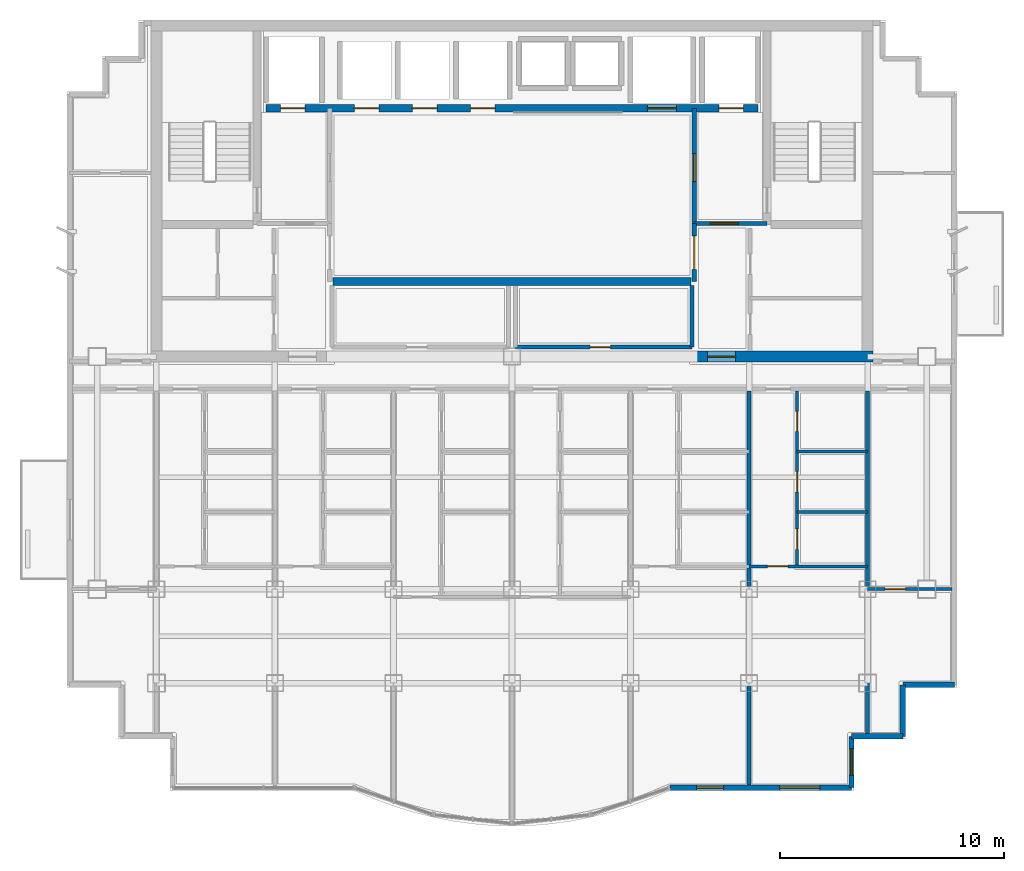
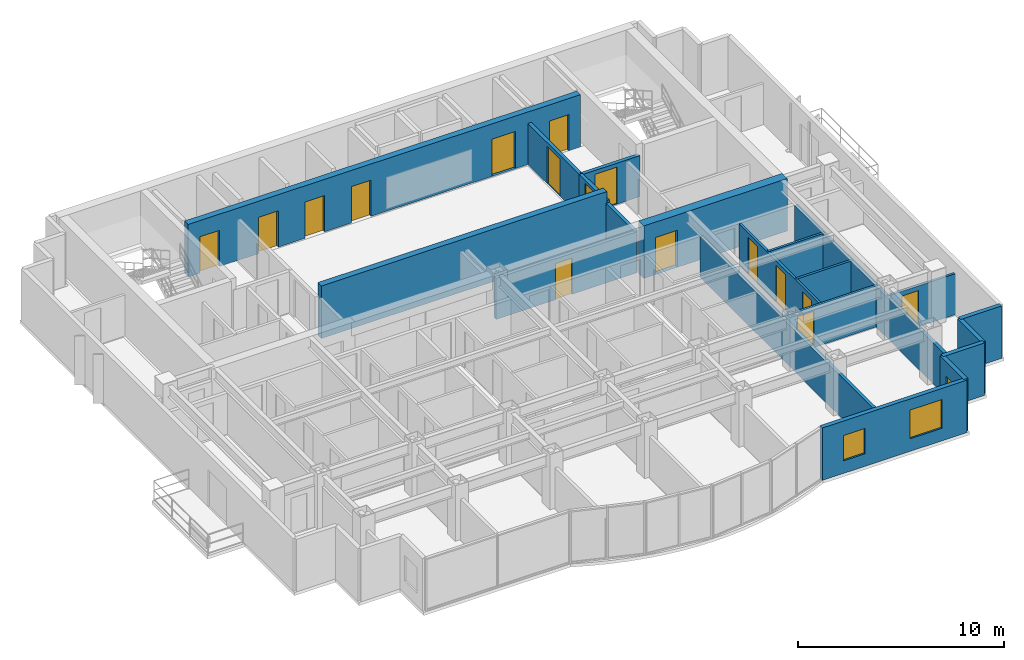
# One storey, part 6 of 9: 20 walls, 16 doors, 3 windows, 19 openings.
"""IFC4 building model written with IfcOpenShell, lengths in metres."""

from ifc_helpers import new_model, si_unit, direction, frame, frame_2d, origin, place, context, subcontext, project, spatial, rectangle, extrude, material, layer, layer_set, type_object, element, fill, save


model = new_model("IFC4")

# Units and contexts
model_context = context("Model", 3, precision=1e-05, world=origin(), true_north=direction((0.0, 1.0)))
body_context = subcontext(model_context, "Body", "Model", "MODEL_VIEW")
ifc_project = project(units=[si_unit("LENGTHUNIT", "METRE"), si_unit("AREAUNIT", "SQUARE_METRE"), si_unit("VOLUMEUNIT", "CUBIC_METRE"), si_unit("PLANEANGLEUNIT", "RADIAN"), si_unit("MASSUNIT", "GRAM", prefix="KILO")], contexts=[model_context])

# Site, building, storey
site_placement = place(None, origin())
site = spatial("IfcSite", under=ifc_project, at=site_placement, CompositionType="ELEMENT")
building_placement = place(site_placement, origin())
building = spatial("IfcBuilding", under=site, at=building_placement, Name="Qianlan Lanfeng Residences", CompositionType="ELEMENT")
storey_placement = place(building_placement, frame((0.0, 0.0, 229.699951171875)))
storey = spatial("IfcBuildingStorey", under=building, at=storey_placement, Name="L63", CompositionType="ELEMENT", Elevation=229.699951171875)

# Wall, openings, doors
ifc_material_1 = material(Name="Concrete C49", Category="concrete")
ifc_layer_1 = layer(ifc_material_1, 0.35009765625)
ifc_layer_set_1 = layer_set([ifc_layer_1], Name="Concrete C49")
wall_type_1 = type_object("IfcWallType", Name="CW-RC-350", PredefinedType="SHEAR", material=ifc_layer_set_1)
wall_1_placement = place(storey_placement, frame((15.5, 36.300048828125, 0.0), z_axis=(0.0, 0.0, 1.0), x_axis=(1.0, 0.0, 0.0)))
wall_1 = element("IfcWall", 1, at=wall_1_placement, inside=storey, type_object=wall_type_1, Name="L63 Core Shear Wall LBN", PredefinedType="SHEAR", context=body_context, shape_type="SweptSolid", body=[
    extrude(rectangle(XDim=22.0, YDim=0.35009765625, at=frame_2d((11.0, 0.0))), origin(), (0.0, 0.0, 1.0), 3.110107421875),
])
opening_1_placement = place(wall_1_placement, frame((0.64990234375, 0.0, 0.0)))
opening_1 = element("IfcOpeningElement", 2, at=opening_1_placement, cuts=wall_1, Name="Opening L63-LD-FFL-1", PredefinedType="OPENING", context=body_context, shape_type="SweptSolid", body=[
    extrude(rectangle(XDim=1.10009765625, YDim=2.14990234375, at=frame_2d((0.550048828125, 1.074951171875))), frame((0.0, 0.18505859375, 0.0), z_axis=(0.0, -1.0, 0.0), x_axis=(1.0, 0.0, 0.0)), (0.0, 0.0, 1.0), 0.3701171875),
])
opening_2_placement = place(wall_1_placement, frame((20.25, 0.0, 0.0)))
opening_2 = element("IfcOpeningElement", 3, at=opening_2_placement, cuts=wall_1, Name="Opening L63-LD-FFL-2", PredefinedType="OPENING", context=body_context, shape_type="SweptSolid", body=[
    extrude(rectangle(XDim=1.10009765625, YDim=2.14990234375, at=frame_2d((0.550048828125, 1.074951171875))), frame((0.0, 0.18505859375, 0.0), z_axis=(0.0, -1.0, 0.0), x_axis=(1.0, 0.0, 0.0)), (0.0, 0.0, 1.0), 0.3701171875),
])
opening_3_placement = place(wall_1_placement, frame((17.050048828125, 0.0, 0.0)))
opening_3 = element("IfcOpeningElement", 4, at=opening_3_placement, cuts=wall_1, Name="Opening L63-LD-SVL-1", PredefinedType="OPENING", context=body_context, shape_type="SweptSolid", body=[
    extrude(rectangle(XDim=1.300048828125, YDim=2.199951171875, at=frame_2d((0.64990234375, 1.10009765625))), frame((0.0, 0.18505859375, 0.0), z_axis=(0.0, -1.0, 0.0), x_axis=(1.0, 0.0, 0.0)), (0.0, 0.0, 1.0), 0.3701171875),
])
opening_4_placement = place(wall_1_placement, frame((3.949951171875, 0.0, 0.0)))
opening_4 = element("IfcOpeningElement", 5, at=opening_4_placement, cuts=wall_1, Name="Opening L63-LD-PL-H1", PredefinedType="OPENING", context=body_context, shape_type="SweptSolid", body=[
    extrude(rectangle(XDim=1.10009765625, YDim=2.14990234375, at=frame_2d((0.550048828125, 1.074951171875))), frame((0.0, 0.18505859375, 0.0), z_axis=(0.0, -1.0, 0.0), x_axis=(1.0, 0.0, 0.0)), (0.0, 0.0, 1.0), 0.3701171875),
])
opening_5_placement = place(wall_1_placement, frame((6.550048828125, 0.0, 0.0)))
opening_5 = element("IfcOpeningElement", 6, at=opening_5_placement, cuts=wall_1, Name="Opening L63-LD-PL-H2", PredefinedType="OPENING", context=body_context, shape_type="SweptSolid", body=[
    extrude(rectangle(XDim=1.10009765625, YDim=2.14990234375, at=frame_2d((0.550048828125, 1.074951171875))), frame((0.0, 0.18505859375, 0.0), z_axis=(0.0, -1.0, 0.0), x_axis=(1.0, 0.0, 0.0)), (0.0, 0.0, 1.0), 0.3701171875),
])
opening_6_placement = place(wall_1_placement, frame((9.14990234375, 0.0, 0.0)))
opening_6 = element("IfcOpeningElement", 7, at=opening_6_placement, cuts=wall_1, Name="Opening L63-LD-PL-H3", PredefinedType="OPENING", context=body_context, shape_type="SweptSolid", body=[
    extrude(rectangle(XDim=1.10009765625, YDim=2.14990234375, at=frame_2d((0.550048828125, 1.074951171875))), frame((0.0, 0.18505859375, 0.0), z_axis=(0.0, -1.0, 0.0), x_axis=(1.0, 0.0, 0.0)), (0.0, 0.0, 1.0), 0.3701171875),
])
ifc_material_2 = material(Name="Brushed Stainless Steel Sliding Lift Door", Category="steel")
door_type_1 = type_object("IfcDoorType", Name="LD-01", OperationType="NOTDEFINED", PredefinedType="DOOR", material=ifc_material_2)
door_1_placement = place(opening_1_placement, frame((1.10009765625, 0.0, 0.0), z_axis=(0.0, 0.0, 1.0), x_axis=(-1.0, 0.0, 0.0)))
door_1 = element("IfcDoor", 8, at=door_1_placement, inside=storey, type_object=door_type_1, Name="L63 Elevator FFL-1 Sliding Landing Door", OperationType="DOUBLE_DOOR_SLIDING", OverallHeight=2.14990234375, OverallWidth=1.10009765625, PredefinedType="DOOR", context=body_context, shape_type="SweptSolid", body=[
    extrude(rectangle(XDim=1.10009765625, YDim=2.14990234375, at=frame_2d((0.550048828125, 1.074951171875))), frame((0.0, 0.02490234375, 0.0), z_axis=(0.0, -1.0, 0.0), x_axis=(1.0, 0.0, 0.0)), (0.0, 0.0, 1.0), 0.050048828125),
])
fill(opening_1, door_1)
door_2_placement = place(opening_2_placement, frame((1.10009765625, 0.0, 0.0), z_axis=(0.0, 0.0, 1.0), x_axis=(-1.0, 0.0, 0.0)))
door_2 = element("IfcDoor", 9, at=door_2_placement, inside=storey, type_object=door_type_1, Name="L63 Elevator FFL-2 Sliding Landing Door", OperationType="DOUBLE_DOOR_SLIDING", OverallHeight=2.14990234375, OverallWidth=1.10009765625, PredefinedType="DOOR", context=body_context, shape_type="SweptSolid", body=[
    extrude(rectangle(XDim=1.10009765625, YDim=2.14990234375, at=frame_2d((0.550048828125, 1.074951171875))), frame((0.0, 0.02490234375, 0.0), z_axis=(0.0, -1.0, 0.0), x_axis=(1.0, 0.0, 0.0)), (0.0, 0.0, 1.0), 0.050048828125),
])
fill(opening_2, door_2)
door_3_placement = place(opening_4_placement, frame((1.10009765625, 0.0, 0.0), z_axis=(0.0, 0.0, 1.0), x_axis=(-1.0, 0.0, 0.0)))
door_3 = element("IfcDoor", 10, at=door_3_placement, inside=storey, type_object=door_type_1, Name="L63 Elevator PL-H1 Sliding Landing Door", OperationType="DOUBLE_DOOR_SLIDING", OverallHeight=2.14990234375, OverallWidth=1.10009765625, PredefinedType="DOOR", context=body_context, shape_type="SweptSolid", body=[
    extrude(rectangle(XDim=1.10009765625, YDim=2.14990234375, at=frame_2d((0.550048828125, 1.074951171875))), frame((0.0, 0.02490234375, 0.0), z_axis=(0.0, -1.0, 0.0), x_axis=(1.0, 0.0, 0.0)), (0.0, 0.0, 1.0), 0.050048828125),
])
fill(opening_4, door_3)
door_4_placement = place(opening_5_placement, frame((1.10009765625, 0.0, 0.0), z_axis=(0.0, 0.0, 1.0), x_axis=(-1.0, 0.0, 0.0)))
door_4 = element("IfcDoor", 11, at=door_4_placement, inside=storey, type_object=door_type_1, Name="L63 Elevator PL-H2 Sliding Landing Door", OperationType="DOUBLE_DOOR_SLIDING", OverallHeight=2.14990234375, OverallWidth=1.10009765625, PredefinedType="DOOR", context=body_context, shape_type="SweptSolid", body=[
    extrude(rectangle(XDim=1.10009765625, YDim=2.14990234375, at=frame_2d((0.550048828125, 1.074951171875))), frame((0.0, 0.02490234375, 0.0), z_axis=(0.0, -1.0, 0.0), x_axis=(1.0, 0.0, 0.0)), (0.0, 0.0, 1.0), 0.050048828125),
])
fill(opening_5, door_4)
door_5_placement = place(opening_6_placement, frame((1.10009765625, 0.0, 0.0), z_axis=(0.0, 0.0, 1.0), x_axis=(-1.0, 0.0, 0.0)))
door_5 = element("IfcDoor", 12, at=door_5_placement, inside=storey, type_object=door_type_1, Name="L63 Elevator PL-H3 Sliding Landing Door", OperationType="DOUBLE_DOOR_SLIDING", OverallHeight=2.14990234375, OverallWidth=1.10009765625, PredefinedType="DOOR", context=body_context, shape_type="SweptSolid", body=[
    extrude(rectangle(XDim=1.10009765625, YDim=2.14990234375, at=frame_2d((0.550048828125, 1.074951171875))), frame((0.0, 0.02490234375, 0.0), z_axis=(0.0, -1.0, 0.0), x_axis=(1.0, 0.0, 0.0)), (0.0, 0.0, 1.0), 0.050048828125),
])
fill(opening_6, door_5)
door_type_2 = type_object("IfcDoorType", Name="LD-02", OperationType="NOTDEFINED", PredefinedType="DOOR", material=ifc_material_2)
door_6_placement = place(opening_3_placement, frame((1.300048828125, 0.0, 0.0), z_axis=(0.0, 0.0, 1.0), x_axis=(-1.0, 0.0, 0.0)))
door_6 = element("IfcDoor", 13, at=door_6_placement, inside=storey, type_object=door_type_2, Name="L63 Elevator SVL-1 Sliding Landing Door", OperationType="DOUBLE_DOOR_SLIDING", OverallHeight=2.199951171875, OverallWidth=1.300048828125, PredefinedType="DOOR", context=body_context, shape_type="SweptSolid", body=[
    extrude(rectangle(XDim=1.300048828125, YDim=2.199951171875, at=frame_2d((0.64990234375, 1.10009765625))), frame((0.0, 0.02490234375, 0.0), z_axis=(0.0, -1.0, 0.0), x_axis=(1.0, 0.0, 0.0)), (0.0, 0.0, 1.0), 0.050048828125),
])
fill(opening_3, door_6)

# Wall
wall_2_placement = place(storey_placement, frame((18.5, 28.550048828125, 0.0), z_axis=(0.0, 0.0, 1.0), x_axis=(1.0, 0.0, 0.0)))
element("IfcWall", 14, at=wall_2_placement, inside=storey, type_object=wall_type_1, Name="L63 Core Shear Wall LBS", PredefinedType="SHEAR", context=body_context, shape_type="SweptSolid", body=[
    extrude(rectangle(XDim=16.0, YDim=0.35009765625, at=frame_2d((8.0, 0.0))), origin(), (0.0, 0.0, 1.0), 3.110107421875),
])

# Wall, opening, door
ifc_material_3 = material(Name="Concrete C70", Category="concrete")
ifc_layer_2 = layer(ifc_material_3, 0.5)
ifc_layer_set_2 = layer_set([ifc_layer_2], Name="Concrete C70")
wall_type_2 = type_object("IfcWallType", Name="CW-RC-500", PredefinedType="SHEAR", material=ifc_layer_set_2)
wall_3_placement = place(storey_placement, frame((34.60009765625, 25.199951171875, 0.0), z_axis=(0.0, 0.0, 1.0), x_axis=(1.0, 0.0, 0.0)))
wall_3 = element("IfcWall", 15, at=wall_3_placement, inside=storey, type_object=wall_type_2, Name="L63 Core Shear Wall SE", PredefinedType="SHEAR", context=body_context, shape_type="SweptSolid", body=[
    extrude(rectangle(XDim=8.0498046875, YDim=0.5, at=frame_2d((4.02490234375, 0.0))), origin(), (0.0, 0.0, 1.0), 3.110107421875),
])
opening_7_placement = place(wall_3_placement, frame((0.64990234375, 0.0, 0.0)))
opening_7 = element("IfcOpeningElement", 16, at=opening_7_placement, cuts=wall_3, Name="Opening L63-D02", PredefinedType="OPENING", context=body_context, shape_type="SweptSolid", body=[
    extrude(rectangle(XDim=1.25, YDim=2.199951171875, at=frame_2d((0.625, 1.10009765625))), frame((0.0, 0.260009765625, 0.0), z_axis=(0.0, -1.0, 0.0), x_axis=(1.0, 0.0, 0.0)), (0.0, 0.0, 1.0), 0.52001953125),
])
ifc_material_4 = material(Name="Painted Galvanised Steel Fire Door", Category="steel")
door_type_3 = type_object("IfcDoorType", Name="DT-FFL", OperationType="NOTDEFINED", PredefinedType="DOOR", material=ifc_material_4)
door_7_placement = place(opening_7_placement, origin())
door_7 = element("IfcDoor", 17, at=door_7_placement, inside=storey, type_object=door_type_3, Name="L63 East Core Lobby Smoke Door L63-D02 (DT-FFL)", OperationType="SINGLE_SWING_LEFT", OverallHeight=2.199951171875, OverallWidth=1.25, PredefinedType="DOOR", context=body_context, shape_type="SweptSolid", body=[
    extrude(rectangle(XDim=1.25, YDim=2.199951171875, at=frame_2d((0.625, 1.10009765625))), frame((0.0, 0.02490234375, 0.0), z_axis=(0.0, -1.0, 0.0), x_axis=(1.0, 0.0, 0.0)), (0.0, 0.0, 1.0), 0.050048828125),
])
fill(opening_7, door_7)

# Wall, openings, windows
ifc_material_5 = material(Name="Concrete C42", Category="concrete")
ifc_layer_3 = layer(ifc_material_5, 0.239990234375)
ifc_layer_set_3 = layer_set([ifc_layer_3], Name="Concrete C42")
wall_type_3 = type_object("IfcWallType", Name="EW-240", PredefinedType="SOLIDWALL", material=ifc_layer_set_3)
wall_4_placement = place(storey_placement, frame((33.555908203125, 5.919921875, 0.0), z_axis=(0.0, 0.0, 1.0), x_axis=(1.0, 0.0, 0.0)))
wall_4 = element("IfcWall", 18, at=wall_4_placement, inside=storey, type_object=wall_type_3, Name="L63 Exterior Facade Spandrel Wall 5", PredefinedType="SOLIDWALL", context=body_context, shape_type="SweptSolid", body=[
    extrude(rectangle(XDim=8.1240234375, YDim=0.239990234375, at=frame_2d((4.06201171875, 0.0))), origin(), (0.0, 0.0, 1.0), 3.110107421875),
])
opening_8_placement = place(wall_4_placement, frame((4.908935546875, 0.0, 0.75)))
opening_8 = element("IfcOpeningElement", 19, at=opening_8_placement, cuts=wall_4, Name="Opening W-01", PredefinedType="OPENING", context=body_context, shape_type="SweptSolid", body=[
    extrude(rectangle(XDim=1.800048828125, YDim=1.699951171875, at=frame_2d((0.89990234375, 0.85009765625))), frame((0.0, 0.1298828125, 0.0), z_axis=(0.0, -1.0, 0.0), x_axis=(1.0, 0.0, 0.0)), (0.0, 0.0, 1.0), 0.260009765625),
])
opening_9_placement = place(wall_4_placement, frame((1.197021484375, 0.0, 0.75)))
opening_9 = element("IfcOpeningElement", 20, at=opening_9_placement, cuts=wall_4, Name="Opening W-03", PredefinedType="OPENING", context=body_context, shape_type="SweptSolid", body=[
    extrude(rectangle(XDim=1.199951171875, YDim=1.5, at=frame_2d((0.60009765625, 0.75))), frame((0.0, 0.1298828125, 0.0), z_axis=(0.0, -1.0, 0.0), x_axis=(1.0, 0.0, 0.0)), (0.0, 0.0, 1.0), 0.260009765625),
])
ifc_material_6 = material(Name="Anodised Bronze Aluminium Framed Double Glazing", Category="aluminium")
window_type_1 = type_object("IfcWindowType", Name="W-01", PartitioningType="SINGLE_PANEL", PredefinedType="WINDOW", material=ifc_material_6)
window_1_placement = place(opening_8_placement, origin())
window_1 = element("IfcWindow", 21, at=window_1_placement, inside=storey, type_object=window_type_1, Name="L63 Facade Punched Window W-01", OverallHeight=1.699951171875, OverallWidth=1.800048828125, PartitioningType="SINGLE_PANEL", PredefinedType="WINDOW", context=body_context, shape_type="SweptSolid", body=[
    extrude(rectangle(XDim=1.800048828125, YDim=1.699951171875, at=frame_2d((0.89990234375, 0.85009765625))), frame((0.0, 0.030029296875, 0.0), z_axis=(0.0, -1.0, 0.0), x_axis=(1.0, 0.0, 0.0)), (0.0, 0.0, 1.0), 0.06005859375),
])
fill(opening_8, window_1)
window_type_2 = type_object("IfcWindowType", Name="W-03", PartitioningType="SINGLE_PANEL", PredefinedType="WINDOW", material=ifc_material_6)
window_2_placement = place(opening_9_placement, origin())
window_2 = element("IfcWindow", 22, at=window_2_placement, inside=storey, type_object=window_type_2, Name="L63 Facade Bay Window W-03", OverallHeight=1.5, OverallWidth=1.199951171875, PartitioningType="SINGLE_PANEL", PredefinedType="WINDOW", context=body_context, shape_type="SweptSolid", body=[
    extrude(rectangle(XDim=1.199951171875, YDim=1.5, at=frame_2d((0.60009765625, 0.75))), frame((0.0, 0.030029296875, 0.0), z_axis=(0.0, -1.0, 0.0), x_axis=(1.0, 0.0, 0.0)), (0.0, 0.0, 1.0), 0.06005859375),
])
fill(opening_9, window_2)

# Wall, opening, window
wall_5_placement = place(storey_placement, frame((41.679931640625, 5.919921875, 0.0), z_axis=(0.0, 0.0, 1.0), x_axis=(0.0, 1.0, 0.0)))
wall_5 = element("IfcWall", 23, at=wall_5_placement, inside=storey, type_object=wall_type_3, Name="L63 Exterior Facade Spandrel Wall 6", PredefinedType="SOLIDWALL", context=body_context, shape_type="SweptSolid", body=[
    extrude(rectangle(XDim=2.300048828125, YDim=0.239990234375, at=frame_2d((1.14990234375, 0.0))), origin(), (0.0, 0.0, 1.0), 3.110107421875),
])
opening_10_placement = place(wall_5_placement, frame((0.550048828125, 0.0, 0.75)))
opening_10 = element("IfcOpeningElement", 24, at=opening_10_placement, cuts=wall_5, Name="Opening W-03", PredefinedType="OPENING", context=body_context, shape_type="SweptSolid", body=[
    extrude(rectangle(XDim=1.199951171875, YDim=1.5, at=frame_2d((0.60009765625, 0.75))), frame((0.0, 0.1298828125, 0.0), z_axis=(0.0, -1.0, 0.0), x_axis=(1.0, 0.0, 0.0)), (0.0, 0.0, 1.0), 0.260009765625),
])
window_3_placement = place(opening_10_placement, origin())
window_3 = element("IfcWindow", 25, at=window_3_placement, inside=storey, type_object=window_type_2, Name="L63 Facade Punched Window W-03", OverallHeight=1.5, OverallWidth=1.199951171875, PartitioningType="SINGLE_PANEL", PredefinedType="WINDOW", context=body_context, shape_type="SweptSolid", body=[
    extrude(rectangle(XDim=1.199951171875, YDim=1.5, at=frame_2d((0.60009765625, 0.75))), frame((0.0, 0.030029296875, 0.0), z_axis=(0.0, -1.0, 0.0), x_axis=(1.0, 0.0, 0.0)), (0.0, 0.0, 1.0), 0.06005859375),
])
fill(opening_10, window_3)

# Walls
for number, where, z_axis, x_axis, name in (
    (26, (41.679931640625, 8.219970703125, 0.0), (0.0, 0.0, 1.0), (1.0, 0.0, 0.0), "L63 Exterior Facade Spandrel Wall 7"),
    (27, (43.97998046875, 8.219970703125, 0.0), (0.0, 0.0, 1.0), (0.0, 1.0, 0.0), "L63 Exterior Facade Spandrel Wall 8"),
    (28, (43.97998046875, 10.52001953125, 0.0), (0.0, 0.0, 1.0), (1.0, 0.0, 0.0), "L63 Exterior Facade Spandrel Wall 9"),
):
    element("IfcWall", number, at=place(storey_placement, frame(where, z_axis=z_axis, x_axis=x_axis)), inside=storey, type_object=wall_type_3, Name=name, PredefinedType="SOLIDWALL", context=body_context, shape_type="SweptSolid", body=[
        extrude(rectangle(XDim=2.300048828125, YDim=0.239990234375, at=frame_2d((1.14990234375, 0.0))), origin(), (0.0, 0.0, 1.0), 3.110107421875),
    ])

# Wall, opening, door
ifc_material_7 = material(Name="Moisture-Resistant Gypsum Partition 135 mm")
ifc_layer_4 = layer(ifc_material_7, 0.135009765625)
ifc_layer_set_4 = layer_set([ifc_layer_4], Name="Moisture-Resistant Gypsum Partition 135 mm")
wall_type_4 = type_object("IfcWallType", Name="PW-135", PredefinedType="PARTITIONING", material=ifc_layer_set_4)
wall_6_placement = place(storey_placement, frame((37.10009765625, 15.820068359375, 0.0), z_axis=(0.0, 0.0, 1.0), x_axis=(1.0, 0.0, 0.0)))
wall_6 = element("IfcWall", 29, at=wall_6_placement, inside=storey, type_object=wall_type_4, Name="L63 U06 Living Divider", PredefinedType="PARTITIONING", context=body_context, shape_type="SweptSolid", body=[
    extrude(rectangle(XDim=5.2998046875, YDim=0.135009765625, at=frame_2d((2.64990234375, 0.0))), origin(), (0.0, 0.0, 1.0), 2.429931640625),
])
opening_11_placement = place(wall_6_placement, frame((0.81494140625, 0.0, 0.0)))
opening_11 = element("IfcOpeningElement", 30, at=opening_11_placement, cuts=wall_6, Name="Opening L63-D44", PredefinedType="OPENING", context=body_context, shape_type="SweptSolid", body=[
    extrude(rectangle(XDim=0.919921875, YDim=2.14990234375, at=frame_2d((0.4599609375, 1.074951171875))), frame((0.0, 0.07763671875, 0.0), z_axis=(0.0, -1.0, 0.0), x_axis=(1.0, 0.0, 0.0)), (0.0, 0.0, 1.0), 0.155029296875),
])
ifc_material_8 = material(Name="Glazed Timber Kitchen/Study Door", Category="wood")
door_type_4 = type_object("IfcDoorType", Name="DT-INT", OperationType="NOTDEFINED", PredefinedType="DOOR", material=ifc_material_8)
door_8_placement = place(opening_11_placement, origin())
door_8 = element("IfcDoor", 31, at=door_8_placement, inside=storey, type_object=door_type_4, Name="L63 U06 Living Passage Door L63-D44 (DT-INT)", OperationType="SINGLE_SWING_LEFT", OverallHeight=2.14990234375, OverallWidth=0.919921875, PredefinedType="DOOR", context=body_context, shape_type="SweptSolid", body=[
    extrude(rectangle(XDim=0.919921875, YDim=2.14990234375, at=frame_2d((0.4599609375, 1.074951171875))), frame((0.0, 0.02490234375, 0.0), z_axis=(0.0, -1.0, 0.0), x_axis=(1.0, 0.0, 0.0)), (0.0, 0.0, 1.0), 0.050048828125),
])
fill(opening_11, door_8)

# Wall, openings, doors
wall_7_placement = place(storey_placement, frame((39.25, 15.820068359375, 0.0), z_axis=(0.0, 0.0, 1.0), x_axis=(0.0, 1.0, 0.0)))
wall_7 = element("IfcWall", 32, at=wall_7_placement, inside=storey, type_object=wall_type_4, Name="L63 U06 Entry Hall Spine", PredefinedType="PARTITIONING", context=body_context, shape_type="SweptSolid", body=[
    extrude(rectangle(XDim=7.829833984375, YDim=0.135009765625, at=frame_2d((3.9150390625, 0.0))), origin(), (0.0, 0.0, 1.0), 2.429931640625),
])
opening_12_placement = place(wall_7_placement, frame((0.7548828125, 0.0, 0.0)))
opening_12 = element("IfcOpeningElement", 33, at=opening_12_placement, cuts=wall_7, Name="Opening L63-D45", PredefinedType="OPENING", context=body_context, shape_type="SweptSolid", body=[
    extrude(rectangle(XDim=0.919921875, YDim=2.14990234375, at=frame_2d((0.4599609375, 1.074951171875))), frame((0.0, 0.07763671875, 0.0), z_axis=(0.0, -1.0, 0.0), x_axis=(1.0, 0.0, 0.0)), (0.0, 0.0, 1.0), 0.155029296875),
])
opening_13_placement = place(wall_7_placement, frame((3.320068359375, 0.0, 0.0)))
opening_13 = element("IfcOpeningElement", 34, at=opening_13_placement, cuts=wall_7, Name="Opening L63-D46", PredefinedType="OPENING", context=body_context, shape_type="SweptSolid", body=[
    extrude(rectangle(XDim=0.919921875, YDim=2.14990234375, at=frame_2d((0.4599609375, 1.074951171875))), frame((0.0, 0.07763671875, 0.0), z_axis=(0.0, -1.0, 0.0), x_axis=(1.0, 0.0, 0.0)), (0.0, 0.0, 1.0), 0.155029296875),
])
opening_14_placement = place(wall_7_placement, frame((6.030029296875, 0.0, 0.0)))
opening_14 = element("IfcOpeningElement", 35, at=opening_14_placement, cuts=wall_7, Name="Opening L63-D47", PredefinedType="OPENING", context=body_context, shape_type="SweptSolid", body=[
    extrude(rectangle(XDim=0.89990234375, YDim=2.14990234375, at=frame_2d((0.449951171875, 1.074951171875))), frame((0.0, 0.07763671875, 0.0), z_axis=(0.0, -1.0, 0.0), x_axis=(1.0, 0.0, 0.0)), (0.0, 0.0, 1.0), 0.155029296875),
])
door_9_placement = place(opening_12_placement, origin())
door_9 = element("IfcDoor", 36, at=door_9_placement, inside=storey, type_object=door_type_4, Name="L63 U06 Study Door L63-D45 (DT-INT)", OperationType="SINGLE_SWING_RIGHT", OverallHeight=2.14990234375, OverallWidth=0.919921875, PredefinedType="DOOR", context=body_context, shape_type="SweptSolid", body=[
    extrude(rectangle(XDim=0.919921875, YDim=2.14990234375, at=frame_2d((0.4599609375, 1.074951171875))), frame((0.0, 0.02490234375, 0.0), z_axis=(0.0, -1.0, 0.0), x_axis=(1.0, 0.0, 0.0)), (0.0, 0.0, 1.0), 0.050048828125),
])
fill(opening_12, door_9)
door_10_placement = place(opening_13_placement, origin())
door_10 = element("IfcDoor", 37, at=door_10_placement, inside=storey, type_object=door_type_4, Name="L63 U06 Kitchen Door L63-D46 (DT-INT)", OperationType="SINGLE_SWING_LEFT", OverallHeight=2.14990234375, OverallWidth=0.919921875, PredefinedType="DOOR", context=body_context, shape_type="SweptSolid", body=[
    extrude(rectangle(XDim=0.919921875, YDim=2.14990234375, at=frame_2d((0.4599609375, 1.074951171875))), frame((0.0, 0.02490234375, 0.0), z_axis=(0.0, -1.0, 0.0), x_axis=(1.0, 0.0, 0.0)), (0.0, 0.0, 1.0), 0.050048828125),
])
fill(opening_13, door_10)
ifc_material_9 = material(Name="Moisture-Resistant Timber Leaf", Category="wood")
door_type_5 = type_object("IfcDoorType", Name="DT-WC", OperationType="NOTDEFINED", PredefinedType="DOOR", material=ifc_material_9)
door_11_placement = place(opening_14_placement, origin())
door_11 = element("IfcDoor", 38, at=door_11_placement, inside=storey, type_object=door_type_5, Name="L63 U06 Bathroom Door L63-D47 (DT-WC)", OperationType="SINGLE_SWING_RIGHT", OverallHeight=2.14990234375, OverallWidth=0.89990234375, PredefinedType="DOOR", context=body_context, shape_type="SweptSolid", body=[
    extrude(rectangle(XDim=0.89990234375, YDim=2.14990234375, at=frame_2d((0.449951171875, 1.074951171875))), frame((0.0, 0.02490234375, 0.0), z_axis=(0.0, -1.0, 0.0), x_axis=(1.0, 0.0, 0.0)), (0.0, 0.0, 1.0), 0.050048828125),
])
fill(opening_14, door_11)

# Walls
for number, where, z_axis, x_axis, name in (
    (39, (39.25, 18.25, 0.0), (0.0, 0.0, 1.0), (1.0, 0.0, 0.0), "L63 U06 Kitchen South Wall"),
    (40, (39.25, 20.949951171875, 0.0), (0.0, 0.0, 1.0), (1.0, 0.0, 0.0), "L63 U06 Bathroom South Wall"),
):
    element("IfcWall", number, at=place(storey_placement, frame(where, z_axis=z_axis, x_axis=x_axis)), inside=storey, type_object=wall_type_4, Name=name, PredefinedType="PARTITIONING", context=body_context, shape_type="SweptSolid", body=[
        extrude(rectangle(XDim=3.14990234375, YDim=0.135009765625, at=frame_2d((1.574951171875, 0.0))), origin(), (0.0, 0.0, 1.0), 2.429931640625),
    ])

# Wall, opening, door
wall_8_placement = place(storey_placement, frame((42.39990234375, 14.800048828125, 0.0), z_axis=(0.0, 0.0, 1.0), x_axis=(1.0, 0.0, 0.0)))
wall_8 = element("IfcWall", 41, at=wall_8_placement, inside=storey, type_object=wall_type_4, Name="L63 SEP Mid Partition", PredefinedType="PARTITIONING", context=body_context, shape_type="SweptSolid", body=[
    extrude(rectangle(XDim=3.780029296875, YDim=0.135009765625, at=frame_2d((1.89013671875, 0.0))), origin(), (0.0, 0.0, 1.0), 2.429931640625),
])
opening_15_placement = place(wall_8_placement, frame((0.780029296875, 0.0, 0.0)))
opening_15 = element("IfcOpeningElement", 42, at=opening_15_placement, cuts=wall_8, Name="Opening L63-D50", PredefinedType="OPENING", context=body_context, shape_type="SweptSolid", body=[
    extrude(rectangle(XDim=0.919921875, YDim=2.14990234375, at=frame_2d((0.4599609375, 1.074951171875))), frame((0.0, 0.07763671875, 0.0), z_axis=(0.0, -1.0, 0.0), x_axis=(1.0, 0.0, 0.0)), (0.0, 0.0, 1.0), 0.155029296875),
])
door_12_placement = place(opening_15_placement, origin())
door_12 = element("IfcDoor", 43, at=door_12_placement, inside=storey, type_object=door_type_4, Name="L63 SEP Inner Door L63-D50 (DT-INT)", OperationType="SINGLE_SWING_RIGHT", OverallHeight=2.14990234375, OverallWidth=0.919921875, PredefinedType="DOOR", context=body_context, shape_type="SweptSolid", body=[
    extrude(rectangle(XDim=0.919921875, YDim=2.14990234375, at=frame_2d((0.4599609375, 1.074951171875))), frame((0.0, 0.02490234375, 0.0), z_axis=(0.0, -1.0, 0.0), x_axis=(1.0, 0.0, 0.0)), (0.0, 0.0, 1.0), 0.050048828125),
])
fill(opening_15, door_12)

# Wall
ifc_material_10 = material(Name="Double-Layer Acoustic Gypsum Stud Wall 180 mm")
ifc_layer_5 = layer(ifc_material_10, 0.179931640625)
ifc_layer_set_5 = layer_set([ifc_layer_5], Name="Double-Layer Acoustic Gypsum Stud Wall 180 mm")
wall_type_5 = type_object("IfcWallType", Name="PW-180", PredefinedType="PARTITIONING", material=ifc_layer_set_5)
wall_9_placement = place(storey_placement, frame((34.550048828125, 25.6201171875, 0.0), z_axis=(0.0, 0.0, 1.0), x_axis=(0.0, 1.0, 0.0)))
element("IfcWall", 44, at=wall_9_placement, inside=storey, type_object=wall_type_5, Name="L63 Reclaimed Mid-Bank Room East Wall", PredefinedType="PARTITIONING", context=body_context, shape_type="SweptSolid", body=[
    extrude(rectangle(XDim=2.7548828125, YDim=0.179931640625, at=frame_2d((1.37744140625, 0.0))), origin(), (0.0, 0.0, 1.0), 2.429931640625),
])

# Wall, opening, door
wall_10_placement = place(storey_placement, frame((26.64990234375, 25.6201171875, 0.0), z_axis=(0.0, 0.0, 1.0), x_axis=(1.0, 0.0, 0.0)))
wall_10 = element("IfcWall", 45, at=wall_10_placement, inside=storey, type_object=wall_type_5, Name="L63 Reclaimed Mid-Bank Room South Wall", PredefinedType="PARTITIONING", context=body_context, shape_type="SweptSolid", body=[
    extrude(rectangle(XDim=7.900146484375, YDim=0.179931640625, at=frame_2d((3.9501953125, 0.0))), origin(), (0.0, 0.0, 1.0), 2.429931640625),
])
opening_16_placement = place(wall_10_placement, frame((3.340087890625, 0.0, 0.0)))
opening_16 = element("IfcOpeningElement", 46, at=opening_16_placement, cuts=wall_10, Name="Opening L63-D17", PredefinedType="OPENING", context=body_context, shape_type="SweptSolid", body=[
    extrude(rectangle(XDim=0.919921875, YDim=2.14990234375, at=frame_2d((0.4599609375, 1.074951171875))), frame((0.0, 0.10009765625, 0.0), z_axis=(0.0, -1.0, 0.0), x_axis=(1.0, 0.0, 0.0)), (0.0, 0.0, 1.0), 0.199951171875),
])
door_13_placement = place(opening_16_placement, origin())
door_13 = element("IfcDoor", 47, at=door_13_placement, inside=storey, type_object=door_type_4, Name="L63 Reclaimed Mid-Bank Salon Door L63-D17 (DT-INT)", OperationType="SINGLE_SWING_RIGHT", OverallHeight=2.14990234375, OverallWidth=0.919921875, PredefinedType="DOOR", context=body_context, shape_type="SweptSolid", body=[
    extrude(rectangle(XDim=0.919921875, YDim=2.14990234375, at=frame_2d((0.4599609375, 1.074951171875))), frame((0.0, 0.02490234375, 0.0), z_axis=(0.0, -1.0, 0.0), x_axis=(1.0, 0.0, 0.0)), (0.0, 0.0, 1.0), 0.050048828125),
])
fill(opening_16, door_13)

# Walls
wall_11_placement = place(storey_placement, frame((42.39990234375, 8.320068359375, 0.0), z_axis=(0.0, 0.0, 1.0), x_axis=(0.0, 1.0, 0.0)))
element("IfcWall", 48, at=wall_11_placement, inside=storey, type_object=wall_type_5, Name="L63 Wing Boundary Party Wall E0", PredefinedType="PARTITIONING", context=body_context, shape_type="SweptSolid", body=[
    extrude(rectangle(XDim=15.329833984375, YDim=0.179931640625, at=frame_2d((7.6650390625, 0.0))), origin(), (0.0, 0.0, 1.0), 2.429931640625),
])
wall_12_placement = place(storey_placement, frame((37.10009765625, 6.02001953125, 0.0), z_axis=(0.0, 0.0, 1.0), x_axis=(0.0, 1.0, 0.0)))
element("IfcWall", 49, at=wall_12_placement, inside=storey, type_object=wall_type_5, Name="L63 Inter-Tenancy Party Wall 6", PredefinedType="PARTITIONING", context=body_context, shape_type="SweptSolid", body=[
    extrude(rectangle(XDim=17.6298828125, YDim=0.179931640625, at=frame_2d((8.81494140625, 0.0))), origin(), (0.0, 0.0, 1.0), 2.429931640625),
])

# Wall, opening, door
ifc_material_11 = material(Name="Autoclaved Aerated Concrete Blockwork 200 mm", Category="masonry")
ifc_layer_6 = layer(ifc_material_11, 0.199951171875)
ifc_layer_set_6 = layer_set([ifc_layer_6], Name="Autoclaved Aerated Concrete Blockwork 200 mm")
wall_type_6 = type_object("IfcWallType", Name="PW-200", PredefinedType="PARTITIONING", material=ifc_layer_set_6)
wall_13_placement = place(storey_placement, frame((34.64990234375, 31.14990234375, 0.0), z_axis=(0.0, 0.0, 1.0), x_axis=(1.0, 0.0, 0.0)))
wall_13 = element("IfcWall", 50, at=wall_13_placement, inside=storey, type_object=wall_type_6, Name="L63 Firefighting Lobby 2 South Wall", PredefinedType="PARTITIONING", context=body_context, shape_type="SweptSolid", body=[
    extrude(rectangle(XDim=3.25, YDim=0.199951171875, at=frame_2d((1.625, 0.0))), origin(), (0.0, 0.0, 1.0), 2.429931640625),
])
opening_17_placement = place(wall_13_placement, frame((0.72509765625, 0.0, 0.0)))
opening_17 = element("IfcOpeningElement", 51, at=opening_17_placement, cuts=wall_13, Name="Opening L63-D05", PredefinedType="OPENING", context=body_context, shape_type="SweptSolid", body=[
    extrude(rectangle(XDim=1.25, YDim=2.199951171875, at=frame_2d((0.625, 1.10009765625))), frame((0.0, 0.10986328125, 0.0), z_axis=(0.0, -1.0, 0.0), x_axis=(1.0, 0.0, 0.0)), (0.0, 0.0, 1.0), 0.219970703125),
])
door_14_placement = place(opening_17_placement, origin())
door_14 = element("IfcDoor", 52, at=door_14_placement, inside=storey, type_object=door_type_3, Name="L63 Firefighting Lobby 2 Entry Door L63-D05 (DT-FFL)", OperationType="SINGLE_SWING_RIGHT", OverallHeight=2.199951171875, OverallWidth=1.25, PredefinedType="DOOR", context=body_context, shape_type="SweptSolid", body=[
    extrude(rectangle(XDim=1.25, YDim=2.199951171875, at=frame_2d((0.625, 1.10009765625))), frame((0.0, 0.02490234375, 0.0), z_axis=(0.0, -1.0, 0.0), x_axis=(1.0, 0.0, 0.0)), (0.0, 0.0, 1.0), 0.050048828125),
])
fill(opening_17, door_14)

wall_14_placement = place(storey_placement, frame((34.64990234375, 31.14990234375, 0.0), z_axis=(0.0, 0.0, 1.0), x_axis=(0.0, 1.0, 0.0)))
wall_14 = element("IfcWall", 53, at=wall_14_placement, inside=storey, type_object=wall_type_6, Name="L63 Firefighting Lobby 2 West Wall", PredefinedType="PARTITIONING", context=body_context, shape_type="SweptSolid", body=[
    extrude(rectangle(XDim=5.150146484375, YDim=0.199951171875, at=frame_2d((2.5751953125, 0.0))), origin(), (0.0, 0.0, 1.0), 2.429931640625),
])
opening_18_placement = place(wall_14_placement, frame((1.875, 0.0, 0.0)))
opening_18 = element("IfcOpeningElement", 54, at=opening_18_placement, cuts=wall_14, Name="Opening L63-D06", PredefinedType="OPENING", context=body_context, shape_type="SweptSolid", body=[
    extrude(rectangle(XDim=1.25, YDim=2.199951171875, at=frame_2d((0.625, 1.10009765625))), frame((0.0, 0.10986328125, 0.0), z_axis=(0.0, -1.0, 0.0), x_axis=(1.0, 0.0, 0.0)), (0.0, 0.0, 1.0), 0.219970703125),
])
door_15_placement = place(opening_18_placement, origin())
door_15 = element("IfcDoor", 55, at=door_15_placement, inside=storey, type_object=door_type_3, Name="L63 Firefighting Lobby 2 Lift Lobby Door L63-D06 (DT-FFL)", OperationType="SINGLE_SWING_LEFT", OverallHeight=2.199951171875, OverallWidth=1.25, PredefinedType="DOOR", context=body_context, shape_type="SweptSolid", body=[
    extrude(rectangle(XDim=1.25, YDim=2.199951171875, at=frame_2d((0.625, 1.10009765625))), frame((0.0, 0.02490234375, 0.0), z_axis=(0.0, -1.0, 0.0), x_axis=(1.0, 0.0, 0.0)), (0.0, 0.0, 1.0), 0.050048828125),
])
fill(opening_18, door_15)

wall_15_placement = place(storey_placement, frame((34.64990234375, 28.550048828125, 0.0), z_axis=(0.0, 0.0, 1.0), x_axis=(0.0, 1.0, 0.0)))
wall_15 = element("IfcWall", 56, at=wall_15_placement, inside=storey, type_object=wall_type_6, Name="L63 Lift Lobby East Connector Wall", PredefinedType="PARTITIONING", context=body_context, shape_type="SweptSolid", body=[
    extrude(rectangle(XDim=2.599853515625, YDim=0.199951171875, at=frame_2d((1.2998046875, 0.0))), origin(), (0.0, 0.0, 1.0), 2.429931640625),
])
opening_19_placement = place(wall_15_placement, frame((0.550048828125, 0.0, 0.0)))
opening_19 = element("IfcOpeningElement", 57, at=opening_19_placement, cuts=wall_15, Name="Opening L63-D15", PredefinedType="OPENING", context=body_context, shape_type="SweptSolid", body=[
    extrude(rectangle(XDim=1.5, YDim=2.25, at=frame_2d((0.75, 1.125))), frame((0.0, 0.10986328125, 0.0), z_axis=(0.0, -1.0, 0.0), x_axis=(1.0, 0.0, 0.0)), (0.0, 0.0, 1.0), 0.219970703125),
])
ifc_material_12 = material(Name="Timber Veneer Acoustic Fire Door", Category="wood")
door_type_6 = type_object("IfcDoorType", Name="DT-COR1", OperationType="NOTDEFINED", PredefinedType="DOOR", material=ifc_material_12)
door_16_placement = place(opening_19_placement, frame((1.5, 0.0, 0.0), z_axis=(0.0, 0.0, 1.0), x_axis=(-1.0, 0.0, 0.0)))
door_16 = element("IfcDoor", 58, at=door_16_placement, inside=storey, type_object=door_type_6, Name="L63 Lift Lobby East Portal Door L63-D15 (DT-COR1)", OperationType="DOUBLE_DOOR_SINGLE_SWING", OverallHeight=2.25, OverallWidth=1.5, PredefinedType="DOOR", context=body_context, shape_type="SweptSolid", body=[
    extrude(rectangle(XDim=1.5, YDim=2.25, at=frame_2d((0.75, 1.125))), frame((0.0, 0.02490234375, 0.0), z_axis=(0.0, -1.0, 0.0), x_axis=(1.0, 0.0, 0.0)), (0.0, 0.0, 1.0), 0.050048828125),
])
fill(opening_19, door_16)

save(model, "model.ifc")
